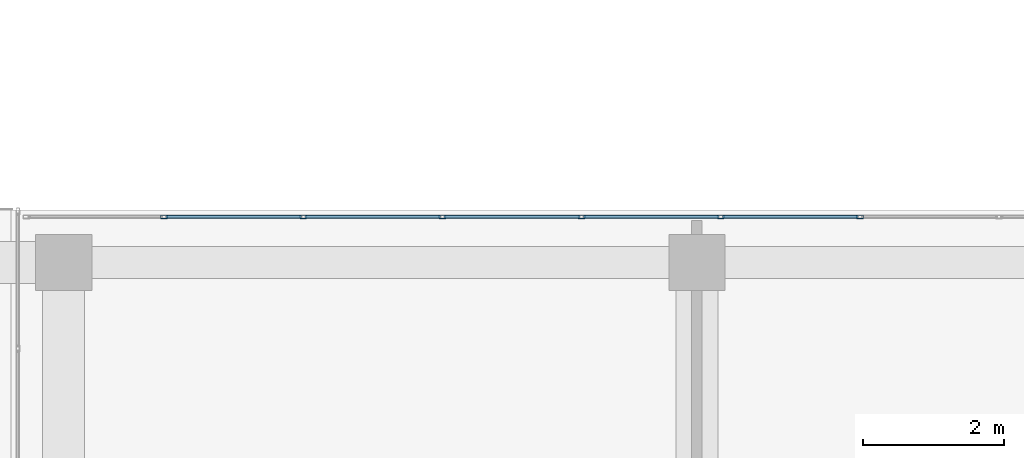
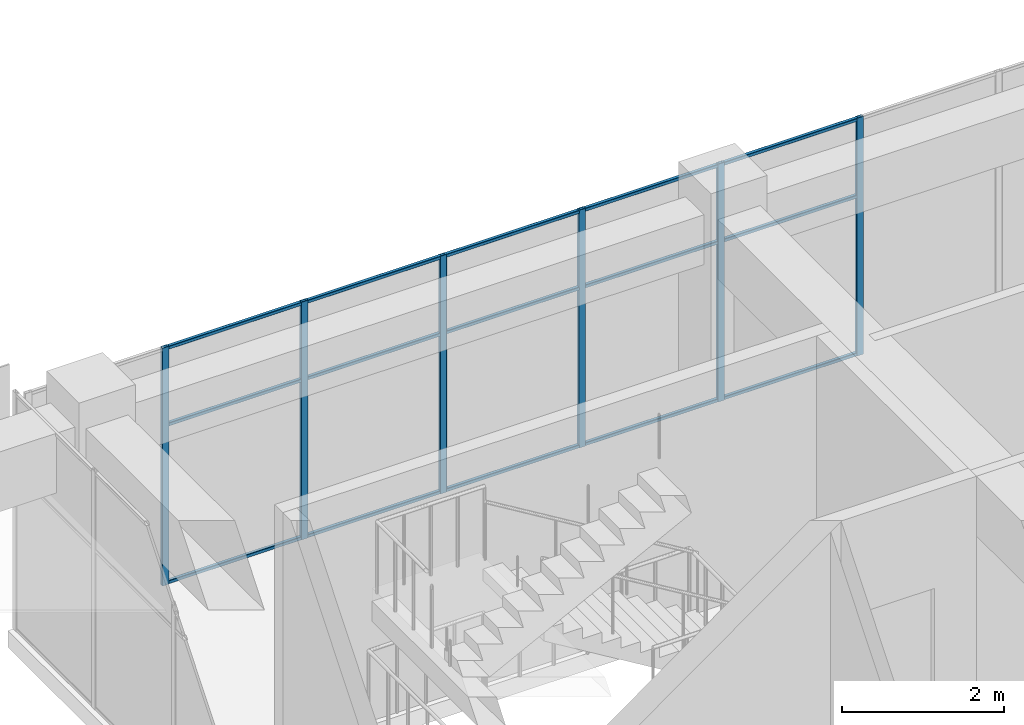
# One storey, part 33 of 52: 21 members, 1 element without a shape of its own.
"""IFC4 building model written with IfcOpenShell, lengths in metres."""

import ifcopenshell
import ifcopenshell.guid

model = None  # the IFC model being written
_history = None  # IfcOwnerHistory: only IFC2X3 demands one
_inside = {}  # id of a spatial element -> (the spatial element, [elements in it])
_under = {}  # id of a project, library or spatial element -> (it, [spatial elements below it])
_declared = {}  # id of a project -> (the project, [libraries it declares])
_typed = {}  # id of a type object -> (the type object, [elements of that type])
_made_of = {}  # id of a material, layer set ... -> (it, [elements and type objects made of it])


def new_model(schema):
    """Start an empty IFC model of exactly this schema.

    Asked for "IFC4X3", IfcOpenShell would pick the latest addendum, in which some entities
    have other attributes; the version numbers below select the first issue.
    IFC2X3 requires an IfcOwnerHistory on every rooted entity: one is made here for all.
    """
    global model, _history
    if schema == "IFC4X3":
        model = ifcopenshell.file(schema_version=(4, 3, 0, 0))
    else:
        model = ifcopenshell.file(schema=schema)
    _inside.clear()
    _under.clear()
    _declared.clear()
    _typed.clear()
    _made_of.clear()
    _history = None
    if model.schema == "IFC2X3":
        org = make("IfcOrganization", Name="unknown")
        user = make(
            "IfcPersonAndOrganization",
            ThePerson=make("IfcPerson", FamilyName="unknown"),
            TheOrganization=org,
        )
        app = make(
            "IfcApplication",
            ApplicationDeveloper=org,
            Version="unknown",
            ApplicationFullName="unknown",
            ApplicationIdentifier="unknown",
        )
        _history = make(
            "IfcOwnerHistory",
            OwningUser=user,
            OwningApplication=app,
            ChangeAction="ADDED",
            CreationDate=0,
        )
    return model


def make(cls, **values):
    """One entity of the class cls with the attributes given. An attribute that is None is left unset."""
    return model.create_entity(
        cls, **{name: value for name, value in values.items() if value is not None}
    )


def rooted(cls, **values):
    """An entity with a GlobalId (a new one), such as an element, a storey or a relation."""
    return make(cls, GlobalId=ifcopenshell.guid.new(), OwnerHistory=_history, **values)


def si_unit(unit_type, name, prefix=None):
    """IfcSIUnit, for example si_unit("LENGTHUNIT", "METRE", prefix="MILLI")."""
    return make("IfcSIUnit", UnitType=unit_type, Prefix=prefix, Name=name)


def assignment(units):
    """IfcUnitAssignment: the units of a project."""
    return None if units is None else make("IfcUnitAssignment", Units=units)


def point(xyz):
    """IfcCartesianPoint."""
    return None if xyz is None else make("IfcCartesianPoint", Coordinates=xyz)


def direction(xyz):
    """IfcDirection."""
    return None if xyz is None else make("IfcDirection", DirectionRatios=xyz)


def frame(location, z_axis=None, x_axis=None):
    """IfcAxis2Placement3D, a coordinate frame: its origin and axes. An axis left out is left unset."""
    return make(
        "IfcAxis2Placement3D",
        Location=point(location),
        Axis=direction(z_axis),
        RefDirection=direction(x_axis),
    )


def frame_2d(location, x_axis=None):
    """IfcAxis2Placement2D, a coordinate frame in the plane: its origin and x axis."""
    return make(
        "IfcAxis2Placement2D", Location=point(location), RefDirection=direction(x_axis)
    )


def origin():
    """The frame at (0, 0, 0) with its axes left unset."""
    return frame((0.0, 0.0, 0.0))


def origin_2d():
    """The frame at (0, 0) in the plane with its x axis left unset."""
    return frame_2d((0.0, 0.0))


def place(relative_to, where):
    """IfcLocalPlacement: puts the frame where relative to a parent placement (None: the world)."""
    return make(
        "IfcLocalPlacement", PlacementRelTo=relative_to, RelativePlacement=where
    )


def context(
    kind, dimensions, precision=None, world=None, true_north=None, identifier=None
):
    """IfcGeometricRepresentationContext, for example the 3D "Model" context."""
    return make(
        "IfcGeometricRepresentationContext",
        ContextIdentifier=identifier,
        ContextType=kind,
        CoordinateSpaceDimension=dimensions,
        Precision=precision,
        WorldCoordinateSystem=world,
        TrueNorth=true_north,
    )


def subcontext(parent, identifier, kind, view, scale=None):
    """IfcGeometricRepresentationSubContext, for example "Body" below "Model"."""
    return make(
        "IfcGeometricRepresentationSubContext",
        ContextIdentifier=identifier,
        ContextType=kind,
        ParentContext=parent,
        TargetScale=scale,
        TargetView=view,
    )


def project(units=None, contexts=None):
    """IfcProject with its units and contexts."""
    return rooted(
        "IfcProject",
        Name="project",
        RepresentationContexts=contexts,
        UnitsInContext=assignment(units),
    )


def spatial(cls, under=None, at=None, **own):
    """A site, building, storey or space (cls), placed at a placement, below another one or the project."""
    s = rooted(cls, ObjectPlacement=at, **own)
    if under is not None:
        _under.setdefault(under.id(), (under, []))[1].append(s)
    return s


def profile(cls, at=None, kind="AREA", **sizes):
    """A parametric profile (cls). Its sizes go by their IFC names, for example OverallWidth=200.0."""
    return make(cls, ProfileType=kind, Position=at, **sizes)


def hollow_rectangle(**sizes):
    """IfcRectangleHollowProfileDef."""
    return profile("IfcRectangleHollowProfileDef", **sizes)


def extrude(swept, where, along, depth):
    """IfcExtrudedAreaSolid: the profile swept, set in the frame where, extruded along a direction by depth."""
    return make(
        "IfcExtrudedAreaSolid",
        SweptArea=swept,
        Position=where,
        ExtrudedDirection=direction(along),
        Depth=depth,
    )


def shape(context_of_items, identifier, shape_type, items):
    """IfcShapeRepresentation: the items that make up one representation, for example the "Body"."""
    return make(
        "IfcShapeRepresentation",
        ContextOfItems=context_of_items,
        RepresentationIdentifier=identifier,
        RepresentationType=shape_type,
        Items=items,
    )


def material(Name=None, Category=None):
    """IfcMaterial."""
    return make("IfcMaterial", Name=Name, Category=Category)


def layer(
    of_material, thickness, ventilated=None, Name=None, Category=None, Priority=None
):
    """IfcMaterialLayer: one layer of a wall or slab, of a material (None: an air gap)."""
    return make(
        "IfcMaterialLayer",
        Material=of_material,
        LayerThickness=thickness,
        IsVentilated=ventilated,
        Name=Name,
        Category=Category,
        Priority=Priority,
    )


def layer_set(layers, Name=None):
    """IfcMaterialLayerSet."""
    return make("IfcMaterialLayerSet", MaterialLayers=layers, LayerSetName=Name)


def material_profile(
    of_material, cross_section, Name=None, Category=None, Priority=None
):
    """IfcMaterialProfile: a cross section and its material."""
    return make(
        "IfcMaterialProfile",
        Name=Name,
        Material=of_material,
        Profile=cross_section,
        Priority=Priority,
        Category=Category,
    )


def profile_set(profiles, Name=None, composite=None):
    """IfcMaterialProfileSet."""
    return make(
        "IfcMaterialProfileSet",
        Name=Name,
        MaterialProfiles=profiles,
        CompositeProfile=composite,
    )


def made_of(thing, what):
    """Note that an element or type object is made of a material, layer set ...; save() writes the relation."""
    if what is not None:
        _made_of.setdefault(what.id(), (what, []))[1].append(thing)
    return thing


def type_object(cls, material=None, **own):
    """A type object (cls), such as IfcWallType, which elements share."""
    return made_of(rooted(cls, **own), material)


def element(
    cls,
    number,
    at=None,
    inside=None,
    cuts=None,
    type_object=None,
    material=None,
    context=None,
    identifier="Body",
    shape_type=None,
    held_by="IfcProductDefinitionShape",
    body=None,
    shapes=None,
    **own,
):
    """One element of the class cls, such as IfcWall. Its Tag is "e" and its number.

    at: its placement. inside: the storey or other place that contains it. cuts: it is an
    opening in that element (IfcRelVoidsElement). A single representation is given by context,
    identifier, shape_type and body (its items); several are given by shapes. held_by: the class
    of the entity that holds the representations. save() writes the other relations.
    """
    e = rooted(cls, Tag="e%d" % number, ObjectPlacement=at, **own)
    if body is not None:
        shapes = [shape(context, identifier, shape_type, body)]
    if shapes is not None:
        e.Representation = make(held_by, Representations=shapes)
    if inside is not None:
        _inside.setdefault(inside.id(), (inside, []))[1].append(e)
    if cuts is not None:
        rooted(
            "IfcRelVoidsElement", RelatingBuildingElement=cuts, RelatedOpeningElement=e
        )
    if type_object is not None:
        _typed.setdefault(type_object.id(), (type_object, []))[1].append(e)
    return made_of(e, material)


def aggregate(whole, parts):
    """IfcRelAggregates: a whole, such as a stair, and the parts it consists of."""
    return rooted("IfcRelAggregates", RelatingObject=whole, RelatedObjects=parts)


def save(model, path):
    """Write the relations noted so far, then the file.

    IfcRelAggregates (storeys below a building ...), IfcRelContainedInSpatialStructure (elements
    in a storey), IfcRelDefinesByType, IfcRelAssociatesMaterial and IfcRelDeclares: one each for
    every whole, place, type object, material and project.
    """
    for whole, parts in _under.values():
        aggregate(whole, parts)
    for where, things in _inside.values():
        rooted(
            "IfcRelContainedInSpatialStructure",
            RelatedElements=things,
            RelatingStructure=where,
        )
    for kind, things in _typed.values():
        rooted("IfcRelDefinesByType", RelatedObjects=things, RelatingType=kind)
    for what, things in _made_of.values():
        rooted("IfcRelAssociatesMaterial", RelatedObjects=things, RelatingMaterial=what)
    for by, libraries in _declared.values():
        rooted("IfcRelDeclares", RelatingContext=by, RelatedDefinitions=libraries)
    model.write(path)


model = new_model("IFC4")

# Units and contexts
model_context = context("Model", 3, precision=1e-05, world=origin(), true_north=direction((0.0, 1.0)))
body_context = subcontext(model_context, "Body", "Model", "MODEL_VIEW")
ifc_project = project(units=[si_unit("LENGTHUNIT", "METRE"), si_unit("AREAUNIT", "SQUARE_METRE"), si_unit("VOLUMEUNIT", "CUBIC_METRE"), si_unit("PLANEANGLEUNIT", "RADIAN"), si_unit("MASSUNIT", "GRAM", prefix="KILO")], contexts=[model_context])

# Site, building, storey
site_placement = place(None, origin())
site = spatial("IfcSite", under=ifc_project, at=site_placement, CompositionType="ELEMENT")
building_placement = place(site_placement, origin())
building = spatial("IfcBuilding", under=site, at=building_placement, Name="Tuart Plaza Theatre", CompositionType="ELEMENT")
storey_placement = place(building_placement, frame((0.0, 0.0, 25.5)))
storey = spatial("IfcBuildingStorey", under=building, at=storey_placement, Name="L06", CompositionType="ELEMENT", Elevation=25.5)

# Curtain wall, members
ifc_material_1 = material(Name="Aluminium and glass", Category="aluminium")
ifc_layer = layer(ifc_material_1, 0.10009765625)
ifc_layer_set = layer_set([ifc_layer], Name="CURTAIN WALL 2000 module")
curtain_wall_type = type_object("IfcCurtainWallType", Name="CURTAIN WALL 2000 module", PredefinedType="NOTDEFINED", material=ifc_layer_set)
curtain_wall_placement = place(storey_placement, origin())
curtain_wall = element("IfcCurtainWall", 1, at=curtain_wall_placement, inside=storey, type_object=curtain_wall_type, Name="CW84", PredefinedType="NOTDEFINED")
ifc_material_2 = material(Name="Aluminium 6063-T5", Category="aluminium")
ifc_material_profile_1 = material_profile(ifc_material_2, hollow_rectangle(XDim=0.050048828125, YDim=0.10009765625, WallThickness=0.00390625, InnerFilletRadius=0.00390625, OuterFilletRadius=0.008056640625, at=origin_2d()), Name="RHS 100x50x4")
ifc_profile_set_1 = profile_set([ifc_material_profile_1], Name="Aluminium 6063-T5")
member_type_1 = type_object("IfcMemberType", Name="MULLION RHS 100x50x4", PredefinedType="MULLION", material=ifc_profile_set_1)
member_1_placement = place(storey_placement, frame((125.316650390625, 92.64990234375, 0.0), z_axis=(0.0, 0.0, 1.0), x_axis=(0.0, -1.0, 0.0)))
member_1 = element("IfcMember", 2, at=member_1_placement, type_object=member_type_1, Name="CW84 mullion 4", PredefinedType="MULLION", context=body_context, shape_type="SweptSolid", body=[
    extrude(hollow_rectangle(XDim=0.050048828125, YDim=0.10009765625, WallThickness=0.00390625, InnerFilletRadius=0.00390625, OuterFilletRadius=0.008056640625, at=origin_2d()), origin(), (0.0, 0.0, 1.0), 3.580078125),
])
member_2_placement = place(storey_placement, frame((123.3388671875, 92.64990234375, 0.0), z_axis=(0.0, 0.0, 1.0), x_axis=(0.0, -1.0, 0.0)))
member_2 = element("IfcMember", 3, at=member_2_placement, type_object=member_type_1, Name="CW84 mullion 5", PredefinedType="MULLION", context=body_context, shape_type="SweptSolid", body=[
    extrude(hollow_rectangle(XDim=0.050048828125, YDim=0.10009765625, WallThickness=0.00390625, InnerFilletRadius=0.00390625, OuterFilletRadius=0.008056640625, at=origin_2d()), origin(), (0.0, 0.0, 1.0), 3.580078125),
])
member_3_placement = place(storey_placement, frame((121.361083984375, 92.64990234375, 0.0), z_axis=(0.0, 0.0, 1.0), x_axis=(0.0, -1.0, 0.0)))
member_3 = element("IfcMember", 4, at=member_3_placement, type_object=member_type_1, Name="CW84 mullion 6", PredefinedType="MULLION", context=body_context, shape_type="SweptSolid", body=[
    extrude(hollow_rectangle(XDim=0.050048828125, YDim=0.10009765625, WallThickness=0.00390625, InnerFilletRadius=0.00390625, OuterFilletRadius=0.008056640625, at=origin_2d()), origin(), (0.0, 0.0, 1.0), 3.580078125),
])
member_4_placement = place(storey_placement, frame((119.38330078125, 92.64990234375, 0.0), z_axis=(0.0, 0.0, 1.0), x_axis=(0.0, -1.0, 0.0)))
member_4 = element("IfcMember", 5, at=member_4_placement, type_object=member_type_1, Name="CW84 mullion 7", PredefinedType="MULLION", context=body_context, shape_type="SweptSolid", body=[
    extrude(hollow_rectangle(XDim=0.050048828125, YDim=0.10009765625, WallThickness=0.00390625, InnerFilletRadius=0.00390625, OuterFilletRadius=0.008056640625, at=origin_2d()), origin(), (0.0, 0.0, 1.0), 3.580078125),
])
member_5_placement = place(storey_placement, frame((117.405517578125, 92.64990234375, 0.0), z_axis=(0.0, 0.0, 1.0), x_axis=(0.0, -1.0, 0.0)))
member_5 = element("IfcMember", 6, at=member_5_placement, type_object=member_type_1, Name="CW84 mullion 8", PredefinedType="MULLION", context=body_context, shape_type="SweptSolid", body=[
    extrude(hollow_rectangle(XDim=0.050048828125, YDim=0.10009765625, WallThickness=0.00390625, InnerFilletRadius=0.00390625, OuterFilletRadius=0.008056640625, at=origin_2d()), origin(), (0.0, 0.0, 1.0), 3.580078125),
])
member_6_placement = place(storey_placement, frame((115.427734375, 92.64990234375, 0.0), z_axis=(0.0, 0.0, 1.0), x_axis=(0.0, -1.0, 0.0)))
member_6 = element("IfcMember", 7, at=member_6_placement, type_object=member_type_1, Name="CW84 mullion 9", PredefinedType="MULLION", context=body_context, shape_type="SweptSolid", body=[
    extrude(hollow_rectangle(XDim=0.050048828125, YDim=0.10009765625, WallThickness=0.00390625, InnerFilletRadius=0.00390625, OuterFilletRadius=0.008056640625, at=origin_2d()), origin(), (0.0, 0.0, 1.0), 3.580078125),
])
ifc_material_3 = material(Name="Aluminium 6063-T5", Category="aluminium")
ifc_material_profile_2 = material_profile(ifc_material_3, hollow_rectangle(XDim=0.050048828125, YDim=0.050048828125, WallThickness=0.00390625, InnerFilletRadius=0.00390625, OuterFilletRadius=0.008056640625, at=origin_2d()), Name="RHS 50x50x4")
ifc_profile_set_2 = profile_set([ifc_material_profile_2], Name="Aluminium 6063-T5")
member_type_2 = type_object("IfcMemberType", Name="TRANSOM RHS 50x50x4", PredefinedType="USERDEFINED", material=ifc_profile_set_2)
member_7_placement = place(storey_placement, frame((125.291748046875, 92.64990234375, 0.02490234375), z_axis=(-1.0, 0.0, 0.0), x_axis=(0.0, -1.0, 0.0)))
member_7 = element("IfcMember", 8, at=member_7_placement, type_object=member_type_2, Name="CW84 transom 4.1", ObjectType="TRANSOM", PredefinedType="USERDEFINED", context=body_context, shape_type="SweptSolid", body=[
    extrude(hollow_rectangle(XDim=0.050048828125, YDim=0.050048828125, WallThickness=0.00390625, InnerFilletRadius=0.00390625, OuterFilletRadius=0.008056640625, at=origin_2d()), origin(), (0.0, 0.0, 1.0), 1.927978515625),
])
member_8_placement = place(storey_placement, frame((125.291748046875, 92.64990234375, 2.39990234375), z_axis=(-1.0, 0.0, 0.0), x_axis=(0.0, -1.0, 0.0)))
member_8 = element("IfcMember", 9, at=member_8_placement, type_object=member_type_2, Name="CW84 transom 4.2", ObjectType="TRANSOM", PredefinedType="USERDEFINED", context=body_context, shape_type="SweptSolid", body=[
    extrude(hollow_rectangle(XDim=0.050048828125, YDim=0.050048828125, WallThickness=0.00390625, InnerFilletRadius=0.00390625, OuterFilletRadius=0.008056640625, at=origin_2d()), origin(), (0.0, 0.0, 1.0), 1.927978515625),
])
member_9_placement = place(storey_placement, frame((125.291748046875, 92.64990234375, 3.554931640625), z_axis=(-1.0, 0.0, 0.0), x_axis=(0.0, -1.0, 0.0)))
member_9 = element("IfcMember", 10, at=member_9_placement, type_object=member_type_2, Name="CW84 transom 4.3", ObjectType="TRANSOM", PredefinedType="USERDEFINED", context=body_context, shape_type="SweptSolid", body=[
    extrude(hollow_rectangle(XDim=0.050048828125, YDim=0.050048828125, WallThickness=0.00390625, InnerFilletRadius=0.00390625, OuterFilletRadius=0.008056640625, at=origin_2d()), origin(), (0.0, 0.0, 1.0), 1.927978515625),
])
member_10_placement = place(storey_placement, frame((123.31396484375, 92.64990234375, 0.02490234375), z_axis=(-1.0, 0.0, 0.0), x_axis=(0.0, -1.0, 0.0)))
member_10 = element("IfcMember", 11, at=member_10_placement, type_object=member_type_2, Name="CW84 transom 5.1", ObjectType="TRANSOM", PredefinedType="USERDEFINED", context=body_context, shape_type="SweptSolid", body=[
    extrude(hollow_rectangle(XDim=0.050048828125, YDim=0.050048828125, WallThickness=0.00390625, InnerFilletRadius=0.00390625, OuterFilletRadius=0.008056640625, at=origin_2d()), origin(), (0.0, 0.0, 1.0), 1.927734375),
])
member_11_placement = place(storey_placement, frame((123.31396484375, 92.64990234375, 2.39990234375), z_axis=(-1.0, 0.0, 0.0), x_axis=(0.0, -1.0, 0.0)))
member_11 = element("IfcMember", 12, at=member_11_placement, type_object=member_type_2, Name="CW84 transom 5.2", ObjectType="TRANSOM", PredefinedType="USERDEFINED", context=body_context, shape_type="SweptSolid", body=[
    extrude(hollow_rectangle(XDim=0.050048828125, YDim=0.050048828125, WallThickness=0.00390625, InnerFilletRadius=0.00390625, OuterFilletRadius=0.008056640625, at=origin_2d()), origin(), (0.0, 0.0, 1.0), 1.927734375),
])
member_12_placement = place(storey_placement, frame((123.31396484375, 92.64990234375, 3.554931640625), z_axis=(-1.0, 0.0, 0.0), x_axis=(0.0, -1.0, 0.0)))
member_12 = element("IfcMember", 13, at=member_12_placement, type_object=member_type_2, Name="CW84 transom 5.3", ObjectType="TRANSOM", PredefinedType="USERDEFINED", context=body_context, shape_type="SweptSolid", body=[
    extrude(hollow_rectangle(XDim=0.050048828125, YDim=0.050048828125, WallThickness=0.00390625, InnerFilletRadius=0.00390625, OuterFilletRadius=0.008056640625, at=origin_2d()), origin(), (0.0, 0.0, 1.0), 1.927734375),
])
member_13_placement = place(storey_placement, frame((121.336181640625, 92.64990234375, 0.02490234375), z_axis=(-1.0, 0.0, 0.0), x_axis=(0.0, -1.0, 0.0)))
member_13 = element("IfcMember", 14, at=member_13_placement, type_object=member_type_2, Name="CW84 transom 6.1", ObjectType="TRANSOM", PredefinedType="USERDEFINED", context=body_context, shape_type="SweptSolid", body=[
    extrude(hollow_rectangle(XDim=0.050048828125, YDim=0.050048828125, WallThickness=0.00390625, InnerFilletRadius=0.00390625, OuterFilletRadius=0.008056640625, at=origin_2d()), origin(), (0.0, 0.0, 1.0), 1.927734375),
])
member_14_placement = place(storey_placement, frame((121.336181640625, 92.64990234375, 2.39990234375), z_axis=(-1.0, 0.0, 0.0), x_axis=(0.0, -1.0, 0.0)))
member_14 = element("IfcMember", 15, at=member_14_placement, type_object=member_type_2, Name="CW84 transom 6.2", ObjectType="TRANSOM", PredefinedType="USERDEFINED", context=body_context, shape_type="SweptSolid", body=[
    extrude(hollow_rectangle(XDim=0.050048828125, YDim=0.050048828125, WallThickness=0.00390625, InnerFilletRadius=0.00390625, OuterFilletRadius=0.008056640625, at=origin_2d()), origin(), (0.0, 0.0, 1.0), 1.927734375),
])
member_15_placement = place(storey_placement, frame((121.336181640625, 92.64990234375, 3.554931640625), z_axis=(-1.0, 0.0, 0.0), x_axis=(0.0, -1.0, 0.0)))
member_15 = element("IfcMember", 16, at=member_15_placement, type_object=member_type_2, Name="CW84 transom 6.3", ObjectType="TRANSOM", PredefinedType="USERDEFINED", context=body_context, shape_type="SweptSolid", body=[
    extrude(hollow_rectangle(XDim=0.050048828125, YDim=0.050048828125, WallThickness=0.00390625, InnerFilletRadius=0.00390625, OuterFilletRadius=0.008056640625, at=origin_2d()), origin(), (0.0, 0.0, 1.0), 1.927734375),
])
member_16_placement = place(storey_placement, frame((119.3583984375, 92.64990234375, 0.02490234375), z_axis=(-1.0, 0.0, 0.0), x_axis=(0.0, -1.0, 0.0)))
member_16 = element("IfcMember", 17, at=member_16_placement, type_object=member_type_2, Name="CW84 transom 7.1", ObjectType="TRANSOM", PredefinedType="USERDEFINED", context=body_context, shape_type="SweptSolid", body=[
    extrude(hollow_rectangle(XDim=0.050048828125, YDim=0.050048828125, WallThickness=0.00390625, InnerFilletRadius=0.00390625, OuterFilletRadius=0.008056640625, at=origin_2d()), origin(), (0.0, 0.0, 1.0), 1.927734375),
])
member_17_placement = place(storey_placement, frame((119.3583984375, 92.64990234375, 2.39990234375), z_axis=(-1.0, 0.0, 0.0), x_axis=(0.0, -1.0, 0.0)))
member_17 = element("IfcMember", 18, at=member_17_placement, type_object=member_type_2, Name="CW84 transom 7.2", ObjectType="TRANSOM", PredefinedType="USERDEFINED", context=body_context, shape_type="SweptSolid", body=[
    extrude(hollow_rectangle(XDim=0.050048828125, YDim=0.050048828125, WallThickness=0.00390625, InnerFilletRadius=0.00390625, OuterFilletRadius=0.008056640625, at=origin_2d()), origin(), (0.0, 0.0, 1.0), 1.927734375),
])
member_18_placement = place(storey_placement, frame((119.3583984375, 92.64990234375, 3.554931640625), z_axis=(-1.0, 0.0, 0.0), x_axis=(0.0, -1.0, 0.0)))
member_18 = element("IfcMember", 19, at=member_18_placement, type_object=member_type_2, Name="CW84 transom 7.3", ObjectType="TRANSOM", PredefinedType="USERDEFINED", context=body_context, shape_type="SweptSolid", body=[
    extrude(hollow_rectangle(XDim=0.050048828125, YDim=0.050048828125, WallThickness=0.00390625, InnerFilletRadius=0.00390625, OuterFilletRadius=0.008056640625, at=origin_2d()), origin(), (0.0, 0.0, 1.0), 1.927734375),
])
member_19_placement = place(storey_placement, frame((117.380615234375, 92.64990234375, 0.02490234375), z_axis=(-1.0, 0.0, 0.0), x_axis=(0.0, -1.0, 0.0)))
member_19 = element("IfcMember", 20, at=member_19_placement, type_object=member_type_2, Name="CW84 transom 8.1", ObjectType="TRANSOM", PredefinedType="USERDEFINED", context=body_context, shape_type="SweptSolid", body=[
    extrude(hollow_rectangle(XDim=0.050048828125, YDim=0.050048828125, WallThickness=0.00390625, InnerFilletRadius=0.00390625, OuterFilletRadius=0.008056640625, at=origin_2d()), origin(), (0.0, 0.0, 1.0), 1.927734375),
])
member_20_placement = place(storey_placement, frame((117.380615234375, 92.64990234375, 2.39990234375), z_axis=(-1.0, 0.0, 0.0), x_axis=(0.0, -1.0, 0.0)))
member_20 = element("IfcMember", 21, at=member_20_placement, type_object=member_type_2, Name="CW84 transom 8.2", ObjectType="TRANSOM", PredefinedType="USERDEFINED", context=body_context, shape_type="SweptSolid", body=[
    extrude(hollow_rectangle(XDim=0.050048828125, YDim=0.050048828125, WallThickness=0.00390625, InnerFilletRadius=0.00390625, OuterFilletRadius=0.008056640625, at=origin_2d()), origin(), (0.0, 0.0, 1.0), 1.927734375),
])
member_21_placement = place(storey_placement, frame((117.380615234375, 92.64990234375, 3.554931640625), z_axis=(-1.0, 0.0, 0.0), x_axis=(0.0, -1.0, 0.0)))
member_21 = element("IfcMember", 22, at=member_21_placement, type_object=member_type_2, Name="CW84 transom 8.3", ObjectType="TRANSOM", PredefinedType="USERDEFINED", context=body_context, shape_type="SweptSolid", body=[
    extrude(hollow_rectangle(XDim=0.050048828125, YDim=0.050048828125, WallThickness=0.00390625, InnerFilletRadius=0.00390625, OuterFilletRadius=0.008056640625, at=origin_2d()), origin(), (0.0, 0.0, 1.0), 1.927734375),
])
aggregate(curtain_wall, [member_1, member_2, member_3, member_4, member_5, member_6, member_7, member_8, member_9, member_10, member_11, member_12, member_13, member_14, member_15, member_16, member_17, member_18, member_19, member_20, member_21])

save(model, "model.ifc")
